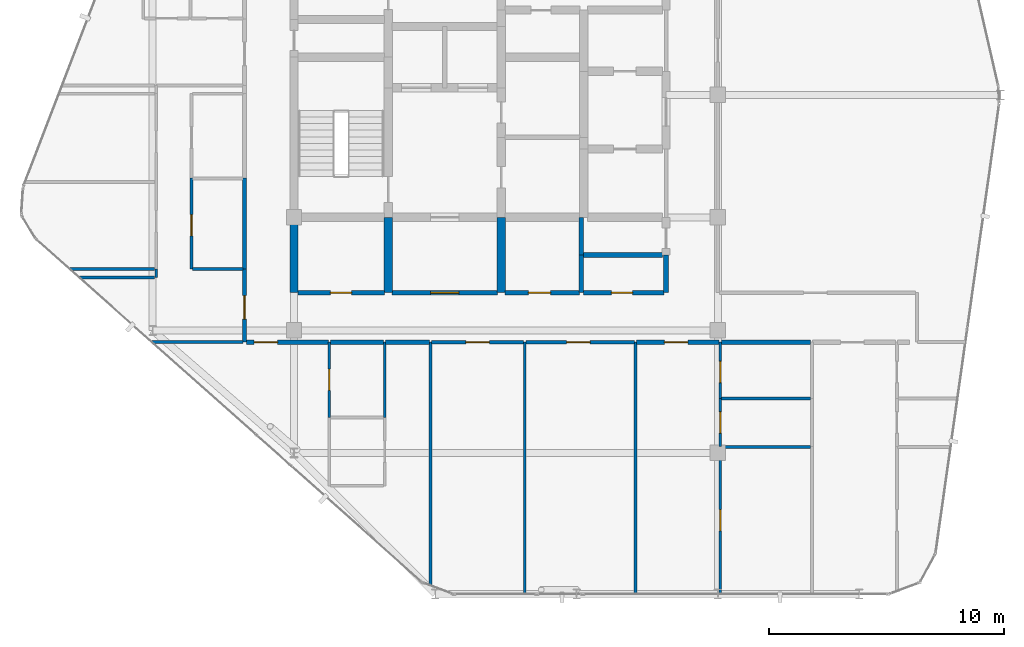
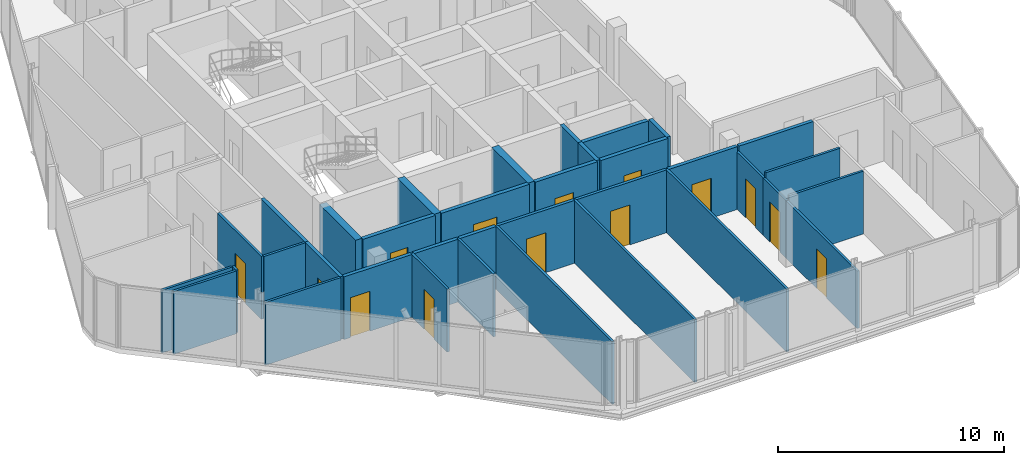
# One storey, part 22 of 27: 36 walls, 14 doors, 14 openings.
"""IFC4 building model written with IfcOpenShell, lengths in metres."""

from ifc_helpers import new_model, si_unit, direction, frame, frame_2d, origin, place, context, subcontext, project, spatial, rectangle, extrude, material, layer, layer_set, type_object, element, fill, save


model = new_model("IFC4")

# Units and contexts
model_context = context("Model", 3, precision=1e-05, world=origin(), true_north=direction((0.0, 1.0)))
body_context = subcontext(model_context, "Body", "Model", "MODEL_VIEW")
ifc_project = project(units=[si_unit("LENGTHUNIT", "METRE"), si_unit("AREAUNIT", "SQUARE_METRE"), si_unit("VOLUMEUNIT", "CUBIC_METRE"), si_unit("PLANEANGLEUNIT", "RADIAN"), si_unit("MASSUNIT", "GRAM", prefix="KILO")], contexts=[model_context])

# Site, building, storey
site_placement = place(None, origin())
site = spatial("IfcSite", under=ifc_project, at=site_placement, CompositionType="ELEMENT")
building_placement = place(site_placement, origin())
building = spatial("IfcBuilding", under=site, at=building_placement, Name="Keshet Zoharim Tower", CompositionType="ELEMENT")
storey_placement = place(building_placement, frame((0.0, 0.0, 288.0)))
storey = spatial("IfcBuildingStorey", under=building, at=storey_placement, Name="L72", CompositionType="ELEMENT", Elevation=288.0)

# Wall, opening, door
ifc_material_1 = material(Name="Gypsum Plasterboard", Category="gypsum")
ifc_layer_1 = layer(ifc_material_1, 0.14990234375)
ifc_layer_set_1 = layer_set([ifc_layer_1], Name="Gypsum Plasterboard")
wall_type_1 = type_object("IfcWallType", Name="WL-CLIN-150", PredefinedType="STANDARD", material=ifc_layer_set_1)
wall_1_placement = place(storey_placement, frame((20.844970703125, 17.39990234375, 0.0), z_axis=(0.0, 0.0, 1.0), x_axis=(1.0, 0.0, 0.0)))
wall_1 = element("IfcWall", 1, at=wall_1_placement, inside=storey, type_object=wall_type_1, Name="L72 Interior Wall 093", PredefinedType="STANDARD", context=body_context, shape_type="SweptSolid", body=[
    extrude(rectangle(XDim=3.909912109375, YDim=0.14990234375, at=frame_2d((1.955078125, 0.0))), origin(), (0.0, 0.0, 1.0), 3.389892578125),
])
opening_1_placement = place(wall_1_placement, frame((1.455078125, 0.0, 0.0)))
opening_1 = element("IfcOpeningElement", 2, at=opening_1_placement, cuts=wall_1, Name="Opening D-F310", PredefinedType="OPENING", context=body_context, shape_type="SweptSolid", body=[
    extrude(rectangle(XDim=1.0, YDim=2.14990234375, at=frame_2d((0.5, 1.074951171875))), frame((0.0, 0.0849609375, 0.0), z_axis=(0.0, -1.0, 0.0), x_axis=(1.0, 0.0, 0.0)), (0.0, 0.0, 1.0), 0.169921875),
])
ifc_material_2 = material(Name="Hardwood Timber", Category="wood")
door_type_1 = type_object("IfcDoorType", Name="DR-FD30-100", OperationType="NOTDEFINED", PredefinedType="DOOR", material=ifc_material_2)
door_1_placement = place(opening_1_placement, origin())
door_1 = element("IfcDoor", 3, at=door_1_placement, inside=storey, type_object=door_type_1, Name="L72 Residents Music Studio Door", OperationType="SINGLE_SWING_LEFT", OverallHeight=2.14990234375, OverallWidth=1.0, PredefinedType="DOOR", context=body_context, shape_type="SweptSolid", body=[
    extrude(rectangle(XDim=1.0, YDim=2.14990234375, at=frame_2d((0.5, 1.074951171875))), frame((0.0, 0.02490234375, 0.0), z_axis=(0.0, -1.0, 0.0), x_axis=(1.0, 0.0, 0.0)), (0.0, 0.0, 1.0), 0.050048828125),
])
fill(opening_1, door_1)

wall_2_placement = place(storey_placement, frame((24.844970703125, 17.39990234375, 0.0), z_axis=(0.0, 0.0, 1.0), x_axis=(1.0, 0.0, 0.0)))
wall_2 = element("IfcWall", 4, at=wall_2_placement, inside=storey, type_object=wall_type_1, Name="L72 Interior Wall 094", PredefinedType="STANDARD", context=body_context, shape_type="SweptSolid", body=[
    extrude(rectangle(XDim=4.610107421875, YDim=0.14990234375, at=frame_2d((2.30517578125, 0.0))), origin(), (0.0, 0.0, 1.0), 3.389892578125),
])
opening_2_placement = place(wall_2_placement, frame((1.73388671875, 0.0, 0.0)))
opening_2 = element("IfcOpeningElement", 5, at=opening_2_placement, cuts=wall_2, Name="Opening D-F310", PredefinedType="OPENING", context=body_context, shape_type="SweptSolid", body=[
    extrude(rectangle(XDim=1.0, YDim=2.14990234375, at=frame_2d((0.5, 1.074951171875))), frame((0.0, 0.0849609375, 0.0), z_axis=(0.0, -1.0, 0.0), x_axis=(1.0, 0.0, 0.0)), (0.0, 0.0, 1.0), 0.169921875),
])
door_2_placement = place(opening_2_placement, origin())
door_2 = element("IfcDoor", 6, at=door_2_placement, inside=storey, type_object=door_type_1, Name="L72 Residents Art Workshop Door", OperationType="SINGLE_SWING_RIGHT", OverallHeight=2.14990234375, OverallWidth=1.0, PredefinedType="DOOR", context=body_context, shape_type="SweptSolid", body=[
    extrude(rectangle(XDim=1.0, YDim=2.14990234375, at=frame_2d((0.5, 1.074951171875))), frame((0.0, 0.02490234375, 0.0), z_axis=(0.0, -1.0, 0.0), x_axis=(1.0, 0.0, 0.0)), (0.0, 0.0, 1.0), 0.050048828125),
])
fill(opening_2, door_2)

# Walls
ifc_material_3 = material(Name="Concrete C60/75", Category="concrete")
ifc_layer_2 = layer(ifc_material_3, 0.35009765625)
ifc_layer_set_2 = layer_set([ifc_layer_2], Name="Concrete C60/75")
wall_type_2 = type_object("IfcWallType", Name="WL-CORE-350", PredefinedType="SHEAR", material=ifc_layer_set_2)
for number, where, z_axis, x_axis, name in (
    (7, (15.0, 19.5, 0.0), (0.0, 0.0, 1.0), (0.0, 1.0, 0.0), "L72 Core Shear Wall 016"),
    (8, (19.0, 19.5, 0.0), (0.0, 0.0, 1.0), (0.0, 1.0, 0.0), "L72 Core Shear Wall 026"),
    (9, (23.800048828125, 19.5, 0.0), (0.0, 0.0, 1.0), (0.0, 1.0, 0.0), "L72 Core Shear Wall 038"),
):
    element("IfcWall", number, at=place(storey_placement, frame(where, z_axis=z_axis, x_axis=x_axis)), inside=storey, type_object=wall_type_2, Name=name, PredefinedType="SHEAR", context=body_context, shape_type="SweptSolid", body=[
        extrude(rectangle(XDim=3.199951171875, YDim=0.35009765625, at=frame_2d((1.60009765625, 0.0))), origin(), (0.0, 0.0, 1.0), 3.389892578125),
    ])

# Wall, opening, door
ifc_layer_3 = layer(ifc_material_1, 0.179931640625)
ifc_layer_set_3 = layer_set([ifc_layer_3], Name="Gypsum Plasterboard")
wall_type_3 = type_object("IfcWallType", Name="WL-CORR-180", PredefinedType="STANDARD", material=ifc_layer_set_3)
wall_3_placement = place(storey_placement, frame((12.89990234375, 17.39990234375, 0.0), z_axis=(0.0, 0.0, 1.0), x_axis=(0.0, 1.0, 0.0)))
wall_3 = element("IfcWall", 10, at=wall_3_placement, inside=storey, type_object=wall_type_3, Name="L72 Interior Wall 008", PredefinedType="STANDARD", context=body_context, shape_type="SweptSolid", body=[
    extrude(rectangle(XDim=3.10009765625, YDim=0.179931640625, at=frame_2d((1.550048828125, 0.0))), origin(), (0.0, 0.0, 1.0), 3.389892578125),
])
opening_3_placement = place(wall_3_placement, frame((0.97802734375, 0.0, 0.0)))
opening_3 = element("IfcOpeningElement", 11, at=opening_3_placement, cuts=wall_3, Name="Opening D-F310", PredefinedType="OPENING", context=body_context, shape_type="SweptSolid", body=[
    extrude(rectangle(XDim=1.0, YDim=2.14990234375, at=frame_2d((0.5, 1.074951171875))), frame((0.0, 0.10009765625, 0.0), z_axis=(0.0, -1.0, 0.0), x_axis=(1.0, 0.0, 0.0)), (0.0, 0.0, 1.0), 0.199951171875),
])
door_3_placement = place(opening_3_placement, origin())
door_3 = element("IfcDoor", 12, at=door_3_placement, inside=storey, type_object=door_type_1, Name="Apartment 7207 Entrance Door", OperationType="SINGLE_SWING_RIGHT", OverallHeight=2.14990234375, OverallWidth=1.0, PredefinedType="DOOR", context=body_context, shape_type="SweptSolid", body=[
    extrude(rectangle(XDim=1.0, YDim=2.14990234375, at=frame_2d((0.5, 1.074951171875))), frame((0.0, 0.02490234375, 0.0), z_axis=(0.0, -1.0, 0.0), x_axis=(1.0, 0.0, 0.0)), (0.0, 0.0, 1.0), 0.050048828125),
])
fill(opening_3, door_3)

# Wall
wall_4_placement = place(storey_placement, frame((12.89990234375, 20.5, 0.0), z_axis=(0.0, 0.0, 1.0), x_axis=(0.0, 1.0, 0.0)))
element("IfcWall", 13, at=wall_4_placement, inside=storey, type_object=wall_type_3, Name="L72 Interior Wall 009", PredefinedType="STANDARD", context=body_context, shape_type="SweptSolid", body=[
    extrude(rectangle(XDim=3.8740234375, YDim=0.179931640625, at=frame_2d((1.93701171875, 0.0))), origin(), (0.0, 0.0, 1.0), 3.389892578125),
])

# Wall, opening, door
wall_5_placement = place(storey_placement, frame((12.97509765625, 17.39990234375, 0.0), z_axis=(0.0, 0.0, 1.0), x_axis=(1.0, 0.0, 0.0)))
wall_5 = element("IfcWall", 14, at=wall_5_placement, inside=storey, type_object=wall_type_3, Name="L72 Interior Wall 090", PredefinedType="STANDARD", context=body_context, shape_type="SweptSolid", body=[
    extrude(rectangle(XDim=3.47998046875, YDim=0.179931640625, at=frame_2d((1.739990234375, 0.0))), origin(), (0.0, 0.0, 1.0), 3.389892578125),
])
opening_4_placement = place(wall_5_placement, frame((0.3330078125, 0.0, 0.0)))
opening_4 = element("IfcOpeningElement", 15, at=opening_4_placement, cuts=wall_5, Name="Opening D-F310", PredefinedType="OPENING", context=body_context, shape_type="SweptSolid", body=[
    extrude(rectangle(XDim=1.0, YDim=2.14990234375, at=frame_2d((0.5, 1.074951171875))), frame((0.0, 0.10009765625, 0.0), z_axis=(0.0, -1.0, 0.0), x_axis=(1.0, 0.0, 0.0)), (0.0, 0.0, 1.0), 0.199951171875),
])
door_4_placement = place(opening_4_placement, origin())
door_4 = element("IfcDoor", 16, at=door_4_placement, inside=storey, type_object=door_type_1, Name="Apartment 7201 Entrance Door", OperationType="SINGLE_SWING_RIGHT", OverallHeight=2.14990234375, OverallWidth=1.0, PredefinedType="DOOR", context=body_context, shape_type="SweptSolid", body=[
    extrude(rectangle(XDim=1.0, YDim=2.14990234375, at=frame_2d((0.5, 1.074951171875))), frame((0.0, 0.02490234375, 0.0), z_axis=(0.0, -1.0, 0.0), x_axis=(1.0, 0.0, 0.0)), (0.0, 0.0, 1.0), 0.050048828125),
])
fill(opening_4, door_4)

# Walls
wall_6_placement = place(storey_placement, frame((16.544921875, 17.39990234375, 0.0), z_axis=(0.0, 0.0, 1.0), x_axis=(1.0, 0.0, 0.0)))
element("IfcWall", 17, at=wall_6_placement, inside=storey, type_object=wall_type_3, Name="L72 Interior Wall 091", PredefinedType="STANDARD", context=body_context, shape_type="SweptSolid", body=[
    extrude(rectangle(XDim=2.260009765625, YDim=0.179931640625, at=frame_2d((1.1298828125, 0.0))), origin(), (0.0, 0.0, 1.0), 3.389892578125),
])
wall_7_placement = place(storey_placement, frame((18.89501953125, 17.39990234375, 0.0), z_axis=(0.0, 0.0, 1.0), x_axis=(1.0, 0.0, 0.0)))
element("IfcWall", 18, at=wall_7_placement, inside=storey, type_object=wall_type_3, Name="L72 Interior Wall 092", PredefinedType="STANDARD", context=body_context, shape_type="SweptSolid", body=[
    extrude(rectangle(XDim=1.85986328125, YDim=0.179931640625, at=frame_2d((0.929931640625, 0.0))), origin(), (0.0, 0.0, 1.0), 3.389892578125),
])

# Wall, opening, door
wall_8_placement = place(storey_placement, frame((29.544921875, 17.39990234375, 0.0), z_axis=(0.0, 0.0, 1.0), x_axis=(1.0, 0.0, 0.0)))
wall_8 = element("IfcWall", 19, at=wall_8_placement, inside=storey, type_object=wall_type_3, Name="L72 Interior Wall 095", PredefinedType="STANDARD", context=body_context, shape_type="SweptSolid", body=[
    extrude(rectangle(XDim=3.510009765625, YDim=0.179931640625, at=frame_2d((1.7548828125, 0.0))), origin(), (0.0, 0.0, 1.0), 3.389892578125),
])
opening_5_placement = place(wall_8_placement, frame((1.18505859375, 0.0, 0.0)))
opening_5 = element("IfcOpeningElement", 20, at=opening_5_placement, cuts=wall_8, Name="Opening D-F310", PredefinedType="OPENING", context=body_context, shape_type="SweptSolid", body=[
    extrude(rectangle(XDim=1.0, YDim=2.14990234375, at=frame_2d((0.5, 1.074951171875))), frame((0.0, 0.10009765625, 0.0), z_axis=(0.0, -1.0, 0.0), x_axis=(1.0, 0.0, 0.0)), (0.0, 0.0, 1.0), 0.199951171875),
])
door_5_placement = place(opening_5_placement, origin())
door_5 = element("IfcDoor", 21, at=door_5_placement, inside=storey, type_object=door_type_1, Name="Apartment 7202 Entrance Door", OperationType="SINGLE_SWING_LEFT", OverallHeight=2.14990234375, OverallWidth=1.0, PredefinedType="DOOR", context=body_context, shape_type="SweptSolid", body=[
    extrude(rectangle(XDim=1.0, YDim=2.14990234375, at=frame_2d((0.5, 1.074951171875))), frame((0.0, 0.02490234375, 0.0), z_axis=(0.0, -1.0, 0.0), x_axis=(1.0, 0.0, 0.0)), (0.0, 0.0, 1.0), 0.050048828125),
])
fill(opening_5, door_5)

# Walls
wall_9_placement = place(storey_placement, frame((33.14501953125, 17.39990234375, 0.0), z_axis=(0.0, 0.0, 1.0), x_axis=(1.0, 0.0, 0.0)))
element("IfcWall", 22, at=wall_9_placement, inside=storey, type_object=wall_type_3, Name="L72 Interior Wall 096", PredefinedType="STANDARD", context=body_context, shape_type="SweptSolid", body=[
    extrude(rectangle(XDim=3.7900390625, YDim=0.179931640625, at=frame_2d((1.89501953125, 0.0))), origin(), (0.0, 0.0, 1.0), 3.389892578125),
])
ifc_material_4 = material(Name="Concrete C50/60", Category="concrete")
ifc_layer_4 = layer(ifc_material_4, 0.199951171875)
ifc_layer_set_4 = layer_set([ifc_layer_4], Name="Concrete C50/60")
wall_type_4 = type_object("IfcWallType", Name="WL-FIRE-200", PredefinedType="STANDARD", material=ifc_layer_set_4)
wall_10_placement = place(storey_placement, frame((27.199951171875, 19.5, 0.0), z_axis=(0.0, 0.0, 1.0), x_axis=(0.0, 1.0, 0.0)))
element("IfcWall", 23, at=wall_10_placement, inside=storey, type_object=wall_type_4, Name="L72 Interior Wall 048", PredefinedType="STANDARD", context=body_context, shape_type="SweptSolid", body=[
    extrude(rectangle(XDim=1.60009765625, YDim=0.199951171875, at=frame_2d((0.800048828125, 0.0))), origin(), (0.0, 0.0, 1.0), 3.389892578125),
])
wall_11_placement = place(storey_placement, frame((27.199951171875, 21.10009765625, 0.0), z_axis=(0.0, 0.0, 1.0), x_axis=(0.0, 1.0, 0.0)))
element("IfcWall", 24, at=wall_11_placement, inside=storey, type_object=wall_type_4, Name="L72 Interior Wall 049", PredefinedType="STANDARD", context=body_context, shape_type="SweptSolid", body=[
    extrude(rectangle(XDim=1.599853515625, YDim=0.199951171875, at=frame_2d((0.7998046875, 0.0))), origin(), (0.0, 0.0, 1.0), 3.389892578125),
])
wall_12_placement = place(storey_placement, frame((30.800048828125, 19.5, 0.0), z_axis=(0.0, 0.0, 1.0), x_axis=(0.0, 1.0, 0.0)))
element("IfcWall", 25, at=wall_12_placement, inside=storey, type_object=wall_type_4, Name="L72 Interior Wall 058", PredefinedType="STANDARD", context=body_context, shape_type="SweptSolid", body=[
    extrude(rectangle(XDim=1.60009765625, YDim=0.199951171875, at=frame_2d((0.800048828125, 0.0))), origin(), (0.0, 0.0, 1.0), 3.389892578125),
])

# Wall, opening, door
wall_13_placement = place(storey_placement, frame((15.159912109375, 19.5, 0.0), z_axis=(0.0, 0.0, 1.0), x_axis=(1.0, 0.0, 0.0)))
wall_13 = element("IfcWall", 26, at=wall_13_placement, inside=storey, type_object=wall_type_4, Name="L72 Interior Wall 100", PredefinedType="STANDARD", context=body_context, shape_type="SweptSolid", body=[
    extrude(rectangle(XDim=3.68017578125, YDim=0.199951171875, at=frame_2d((1.840087890625, 0.0))), origin(), (0.0, 0.0, 1.0), 3.389892578125),
])
opening_6_placement = place(wall_13_placement, frame((1.389892578125, 0.0, 0.0)))
opening_6 = element("IfcOpeningElement", 27, at=opening_6_placement, cuts=wall_13, Name="Opening D-F690", PredefinedType="OPENING", context=body_context, shape_type="SweptSolid", body=[
    extrude(rectangle(XDim=0.89990234375, YDim=2.14990234375, at=frame_2d((0.449951171875, 1.074951171875))), frame((0.0, 0.10986328125, 0.0), z_axis=(0.0, -1.0, 0.0), x_axis=(1.0, 0.0, 0.0)), (0.0, 0.0, 1.0), 0.219970703125),
])
door_type_2 = type_object("IfcDoorType", Name="DR-FD60-090", OperationType="NOTDEFINED", PredefinedType="DOOR", material=ifc_material_2)
door_6_placement = place(opening_6_placement, origin())
door_6 = element("IfcDoor", 28, at=door_6_placement, inside=storey, type_object=door_type_2, Name="L72 Refuse Store Door", OperationType="SINGLE_SWING_LEFT", OverallHeight=2.14990234375, OverallWidth=0.89990234375, PredefinedType="DOOR", context=body_context, shape_type="SweptSolid", body=[
    extrude(rectangle(XDim=0.89990234375, YDim=2.14990234375, at=frame_2d((0.449951171875, 1.074951171875))), frame((0.0, 0.02490234375, 0.0), z_axis=(0.0, -1.0, 0.0), x_axis=(1.0, 0.0, 0.0)), (0.0, 0.0, 1.0), 0.050048828125),
])
fill(opening_6, door_6)

wall_14_placement = place(storey_placement, frame((19.159912109375, 19.5, 0.0), z_axis=(0.0, 0.0, 1.0), x_axis=(1.0, 0.0, 0.0)))
wall_14 = element("IfcWall", 29, at=wall_14_placement, inside=storey, type_object=wall_type_4, Name="L72 Interior Wall 101", PredefinedType="STANDARD", context=body_context, shape_type="SweptSolid", body=[
    extrude(rectangle(XDim=4.47998046875, YDim=0.199951171875, at=frame_2d((2.239990234375, 0.0))), origin(), (0.0, 0.0, 1.0), 3.389892578125),
])
opening_7_placement = place(wall_14_placement, frame((1.639892578125, 0.0, 0.0)))
opening_7 = element("IfcOpeningElement", 30, at=opening_7_placement, cuts=wall_14, Name="Opening D-F612", PredefinedType="OPENING", context=body_context, shape_type="SweptSolid", body=[
    extrude(rectangle(XDim=1.199951171875, YDim=2.199951171875, at=frame_2d((0.60009765625, 1.10009765625))), frame((0.0, 0.10986328125, 0.0), z_axis=(0.0, -1.0, 0.0), x_axis=(1.0, 0.0, 0.0)), (0.0, 0.0, 1.0), 0.219970703125),
])
door_type_3 = type_object("IfcDoorType", Name="DR-FD60-120", OperationType="NOTDEFINED", PredefinedType="DOOR", material=ifc_material_2)
door_7_placement = place(opening_7_placement, origin())
door_7 = element("IfcDoor", 31, at=door_7_placement, inside=storey, type_object=door_type_3, Name="L72 South Vestibule Corridor Door", OperationType="SINGLE_SWING_RIGHT", OverallHeight=2.199951171875, OverallWidth=1.199951171875, PredefinedType="DOOR", context=body_context, shape_type="SweptSolid", body=[
    extrude(rectangle(XDim=1.199951171875, YDim=2.199951171875, at=frame_2d((0.60009765625, 1.10009765625))), frame((0.0, 0.02490234375, 0.0), z_axis=(0.0, -1.0, 0.0), x_axis=(1.0, 0.0, 0.0)), (0.0, 0.0, 1.0), 0.050048828125),
])
fill(opening_7, door_7)

wall_15_placement = place(storey_placement, frame((23.9599609375, 19.5, 0.0), z_axis=(0.0, 0.0, 1.0), x_axis=(1.0, 0.0, 0.0)))
wall_15 = element("IfcWall", 32, at=wall_15_placement, inside=storey, type_object=wall_type_4, Name="L72 Interior Wall 102", PredefinedType="STANDARD", context=body_context, shape_type="SweptSolid", body=[
    extrude(rectangle(XDim=3.155029296875, YDim=0.199951171875, at=frame_2d((1.57763671875, 0.0))), origin(), (0.0, 0.0, 1.0), 3.389892578125),
])
opening_8_placement = place(wall_15_placement, frame((0.990966796875, 0.0, 0.0)))
opening_8 = element("IfcOpeningElement", 33, at=opening_8_placement, cuts=wall_15, Name="Opening D-F695", PredefinedType="OPENING", context=body_context, shape_type="SweptSolid", body=[
    extrude(rectangle(XDim=0.949951171875, YDim=2.14990234375, at=frame_2d((0.47509765625, 1.074951171875))), frame((0.0, 0.10986328125, 0.0), z_axis=(0.0, -1.0, 0.0), x_axis=(1.0, 0.0, 0.0)), (0.0, 0.0, 1.0), 0.219970703125),
])
door_type_4 = type_object("IfcDoorType", Name="DR-FD60-095", OperationType="NOTDEFINED", PredefinedType="DOOR", material=ifc_material_2)
door_8_placement = place(opening_8_placement, origin())
door_8 = element("IfcDoor", 34, at=door_8_placement, inside=storey, type_object=door_type_4, Name="L72 Utility Room Door", OperationType="SINGLE_SWING_LEFT", OverallHeight=2.14990234375, OverallWidth=0.949951171875, PredefinedType="DOOR", context=body_context, shape_type="SweptSolid", body=[
    extrude(rectangle(XDim=0.949951171875, YDim=2.14990234375, at=frame_2d((0.47509765625, 1.074951171875))), frame((0.0, 0.02490234375, 0.0), z_axis=(0.0, -1.0, 0.0), x_axis=(1.0, 0.0, 0.0)), (0.0, 0.0, 1.0), 0.050048828125),
])
fill(opening_8, door_8)

wall_16_placement = place(storey_placement, frame((27.284912109375, 19.5, 0.0), z_axis=(0.0, 0.0, 1.0), x_axis=(1.0, 0.0, 0.0)))
wall_16 = element("IfcWall", 35, at=wall_16_placement, inside=storey, type_object=wall_type_4, Name="L72 Interior Wall 103", PredefinedType="STANDARD", context=body_context, shape_type="SweptSolid", body=[
    extrude(rectangle(XDim=3.43017578125, YDim=0.199951171875, at=frame_2d((1.715087890625, 0.0))), origin(), (0.0, 0.0, 1.0), 3.389892578125),
])
opening_9_placement = place(wall_16_placement, frame((1.19189453125, 0.0, 0.0)))
opening_9 = element("IfcOpeningElement", 36, at=opening_9_placement, cuts=wall_16, Name="Opening D-F690", PredefinedType="OPENING", context=body_context, shape_type="SweptSolid", body=[
    extrude(rectangle(XDim=0.89990234375, YDim=2.14990234375, at=frame_2d((0.449951171875, 1.074951171875))), frame((0.0, 0.10986328125, 0.0), z_axis=(0.0, -1.0, 0.0), x_axis=(1.0, 0.0, 0.0)), (0.0, 0.0, 1.0), 0.219970703125),
])
door_9_placement = place(opening_9_placement, origin())
door_9 = element("IfcDoor", 37, at=door_9_placement, inside=storey, type_object=door_type_2, Name="L72 Valve Room Door", OperationType="SINGLE_SWING_RIGHT", OverallHeight=2.14990234375, OverallWidth=0.89990234375, PredefinedType="DOOR", context=body_context, shape_type="SweptSolid", body=[
    extrude(rectangle(XDim=0.89990234375, YDim=2.14990234375, at=frame_2d((0.449951171875, 1.074951171875))), frame((0.0, 0.02490234375, 0.0), z_axis=(0.0, -1.0, 0.0), x_axis=(1.0, 0.0, 0.0)), (0.0, 0.0, 1.0), 0.050048828125),
])
fill(opening_9, door_9)

# Walls
wall_17_placement = place(storey_placement, frame((27.284912109375, 21.10009765625, 0.0), z_axis=(0.0, 0.0, 1.0), x_axis=(1.0, 0.0, 0.0)))
element("IfcWall", 38, at=wall_17_placement, inside=storey, type_object=wall_type_4, Name="L72 Interior Wall 108", PredefinedType="STANDARD", context=body_context, shape_type="SweptSolid", body=[
    extrude(rectangle(XDim=3.35498046875, YDim=0.199951171875, at=frame_2d((1.677490234375, 0.0))), origin(), (0.0, 0.0, 1.0), 3.389892578125),
])
ifc_layer_5 = layer(ifc_material_1, 0.1201171875)
ifc_layer_set_5 = layer_set([ifc_layer_5], Name="Gypsum Plasterboard")
wall_type_5 = type_object("IfcWallType", Name="WL-PART-120", PredefinedType="PARTITIONING", material=ifc_layer_set_5)
wall_18_placement = place(storey_placement, frame((9.14990234375, 20.14990234375, 0.0), z_axis=(0.0, 0.0, 1.0), x_axis=(0.0, 1.0, 0.0)))
element("IfcWall", 39, at=wall_18_placement, inside=storey, type_object=wall_type_5, Name="L72 Interior Wall 002", PredefinedType="PARTITIONING", context=body_context, shape_type="SweptSolid", body=[
    extrude(rectangle(XDim=0.35009765625, YDim=0.1201171875, at=frame_2d((0.175048828125, 0.0))), origin(), (0.0, 0.0, 1.0), 3.389892578125),
])

# Wall, opening, door
wall_19_placement = place(storey_placement, frame((10.64990234375, 20.5, 0.0), z_axis=(0.0, 0.0, 1.0), x_axis=(0.0, 1.0, 0.0)))
wall_19 = element("IfcWall", 40, at=wall_19_placement, inside=storey, type_object=wall_type_5, Name="L72 Interior Wall 006", PredefinedType="PARTITIONING", context=body_context, shape_type="SweptSolid", body=[
    extrude(rectangle(XDim=3.8740234375, YDim=0.1201171875, at=frame_2d((1.93701171875, 0.0))), origin(), (0.0, 0.0, 1.0), 3.389892578125),
])
opening_10_placement = place(wall_19_placement, frame((1.4150390625, 0.0, 0.0)))
opening_10 = element("IfcOpeningElement", 41, at=opening_10_placement, cuts=wall_19, Name="Opening D-IN90", PredefinedType="OPENING", context=body_context, shape_type="SweptSolid", body=[
    extrude(rectangle(XDim=0.89990234375, YDim=2.14990234375, at=frame_2d((0.449951171875, 1.074951171875))), frame((0.0, 0.070068359375, 0.0), z_axis=(0.0, -1.0, 0.0), x_axis=(1.0, 0.0, 0.0)), (0.0, 0.0, 1.0), 0.14013671875),
])
door_type_5 = type_object("IfcDoorType", Name="DR-INT-090", OperationType="NOTDEFINED", PredefinedType="DOOR", material=ifc_material_2)
door_10_placement = place(opening_10_placement, origin())
door_10 = element("IfcDoor", 42, at=door_10_placement, inside=storey, type_object=door_type_5, Name="Apartment 7207 Kitchen Door", OperationType="SINGLE_SWING_RIGHT", OverallHeight=2.14990234375, OverallWidth=0.89990234375, PredefinedType="DOOR", context=body_context, shape_type="SweptSolid", body=[
    extrude(rectangle(XDim=0.89990234375, YDim=2.14990234375, at=frame_2d((0.449951171875, 1.074951171875))), frame((0.0, 0.02490234375, 0.0), z_axis=(0.0, -1.0, 0.0), x_axis=(1.0, 0.0, 0.0)), (0.0, 0.0, 1.0), 0.050048828125),
])
fill(opening_10, door_10)

wall_20_placement = place(storey_placement, frame((16.5, 14.199951171875, 0.0), z_axis=(0.0, 0.0, 1.0), x_axis=(0.0, 1.0, 0.0)))
wall_20 = element("IfcWall", 43, at=wall_20_placement, inside=storey, type_object=wall_type_5, Name="L72 Interior Wall 021", PredefinedType="PARTITIONING", context=body_context, shape_type="SweptSolid", body=[
    extrude(rectangle(XDim=3.199951171875, YDim=0.1201171875, at=frame_2d((1.60009765625, 0.0))), origin(), (0.0, 0.0, 1.0), 3.389892578125),
])
opening_11_placement = place(wall_20_placement, frame((1.14990234375, 0.0, 0.0)))
opening_11 = element("IfcOpeningElement", 44, at=opening_11_placement, cuts=wall_20, Name="Opening D-IN90", PredefinedType="OPENING", context=body_context, shape_type="SweptSolid", body=[
    extrude(rectangle(XDim=0.89990234375, YDim=2.14990234375, at=frame_2d((0.449951171875, 1.074951171875))), frame((0.0, 0.070068359375, 0.0), z_axis=(0.0, -1.0, 0.0), x_axis=(1.0, 0.0, 0.0)), (0.0, 0.0, 1.0), 0.14013671875),
])
door_11_placement = place(opening_11_placement, origin())
door_11 = element("IfcDoor", 45, at=door_11_placement, inside=storey, type_object=door_type_5, Name="Apartment 7201 Kitchenette Door", OperationType="SINGLE_SWING_LEFT", OverallHeight=2.14990234375, OverallWidth=0.89990234375, PredefinedType="DOOR", context=body_context, shape_type="SweptSolid", body=[
    extrude(rectangle(XDim=0.89990234375, YDim=2.14990234375, at=frame_2d((0.449951171875, 1.074951171875))), frame((0.0, 0.02490234375, 0.0), z_axis=(0.0, -1.0, 0.0), x_axis=(1.0, 0.0, 0.0)), (0.0, 0.0, 1.0), 0.050048828125),
])
fill(opening_11, door_11)

# Walls
wall_21_placement = place(storey_placement, frame((18.85009765625, 14.199951171875, 0.0), z_axis=(0.0, 0.0, 1.0), x_axis=(0.0, 1.0, 0.0)))
element("IfcWall", 46, at=wall_21_placement, inside=storey, type_object=wall_type_5, Name="L72 Interior Wall 025", PredefinedType="PARTITIONING", context=body_context, shape_type="SweptSolid", body=[
    extrude(rectangle(XDim=3.199951171875, YDim=0.1201171875, at=frame_2d((1.60009765625, 0.0))), origin(), (0.0, 0.0, 1.0), 3.389892578125),
])
wall_22_placement = place(storey_placement, frame((20.800048828125, 7.074951171875, 0.0), z_axis=(0.0, 0.0, 1.0), x_axis=(0.0, 1.0, 0.0)))
element("IfcWall", 47, at=wall_22_placement, inside=storey, type_object=wall_type_5, Name="L72 Interior Wall 032", PredefinedType="PARTITIONING", context=body_context, shape_type="SweptSolid", body=[
    extrude(rectangle(XDim=10.324951171875, YDim=0.1201171875, at=frame_2d((5.16259765625, 0.0))), origin(), (0.0, 0.0, 1.0), 3.389892578125),
])
for number, where, z_axis, x_axis, name in (
    (48, (24.800048828125, 6.7099609375, 0.0), (0.0, 0.0, 1.0), (0.0, 1.0, 0.0), "L72 Interior Wall 045"),
    (49, (29.5, 6.7099609375, 0.0), (0.0, 0.0, 1.0), (0.0, 1.0, 0.0), "L72 Interior Wall 055"),
):
    element("IfcWall", number, at=place(storey_placement, frame(where, z_axis=z_axis, x_axis=x_axis)), inside=storey, type_object=wall_type_5, Name=name, PredefinedType="PARTITIONING", context=body_context, shape_type="SweptSolid", body=[
        extrude(rectangle(XDim=10.68994140625, YDim=0.1201171875, at=frame_2d((5.344970703125, 0.0))), origin(), (0.0, 0.0, 1.0), 3.389892578125),
    ])

# Wall, opening, door
wall_23_placement = place(storey_placement, frame((33.10009765625, 6.7099609375, 0.0), z_axis=(0.0, 0.0, 1.0), x_axis=(0.0, 1.0, 0.0)))
wall_23 = element("IfcWall", 50, at=wall_23_placement, inside=storey, type_object=wall_type_5, Name="L72 Interior Wall 067", PredefinedType="PARTITIONING", context=body_context, shape_type="SweptSolid", body=[
    extrude(rectangle(XDim=6.260009765625, YDim=0.1201171875, at=frame_2d((3.1298828125, 0.0))), origin(), (0.0, 0.0, 1.0), 3.10009765625),
])
opening_12_placement = place(wall_23_placement, frame((2.679931640625, 0.0, 0.0)))
opening_12 = element("IfcOpeningElement", 51, at=opening_12_placement, cuts=wall_23, Name="Opening D-IN90", PredefinedType="OPENING", context=body_context, shape_type="SweptSolid", body=[
    extrude(rectangle(XDim=0.89990234375, YDim=2.14990234375, at=frame_2d((0.449951171875, 1.074951171875))), frame((0.0, 0.070068359375, 0.0), z_axis=(0.0, -1.0, 0.0), x_axis=(1.0, 0.0, 0.0)), (0.0, 0.0, 1.0), 0.14013671875),
])
door_12_placement = place(opening_12_placement, origin())
door_12 = element("IfcDoor", 52, at=door_12_placement, inside=storey, type_object=door_type_5, Name="Apartment 7202 Bedroom 1 Door", OperationType="SINGLE_SWING_RIGHT", OverallHeight=2.14990234375, OverallWidth=0.89990234375, PredefinedType="DOOR", context=body_context, shape_type="SweptSolid", body=[
    extrude(rectangle(XDim=0.89990234375, YDim=2.14990234375, at=frame_2d((0.449951171875, 1.074951171875))), frame((0.0, 0.02490234375, 0.0), z_axis=(0.0, -1.0, 0.0), x_axis=(1.0, 0.0, 0.0)), (0.0, 0.0, 1.0), 0.050048828125),
])
fill(opening_12, door_12)

wall_24_placement = place(storey_placement, frame((33.10009765625, 12.969970703125, 0.0), z_axis=(0.0, 0.0, 1.0), x_axis=(0.0, 1.0, 0.0)))
wall_24 = element("IfcWall", 53, at=wall_24_placement, inside=storey, type_object=wall_type_5, Name="L72 Interior Wall 068", PredefinedType="PARTITIONING", context=body_context, shape_type="SweptSolid", body=[
    extrude(rectangle(XDim=2.0380859375, YDim=0.1201171875, at=frame_2d((1.01904296875, 0.0))), origin(), (0.0, 0.0, 1.0), 3.10009765625),
])
opening_13_placement = place(wall_24_placement, frame((0.569091796875, 0.0, 0.0)))
opening_13 = element("IfcOpeningElement", 54, at=opening_13_placement, cuts=wall_24, Name="Opening D-IN90", PredefinedType="OPENING", context=body_context, shape_type="SweptSolid", body=[
    extrude(rectangle(XDim=0.89990234375, YDim=2.14990234375, at=frame_2d((0.449951171875, 1.074951171875))), frame((0.0, 0.070068359375, 0.0), z_axis=(0.0, -1.0, 0.0), x_axis=(1.0, 0.0, 0.0)), (0.0, 0.0, 1.0), 0.14013671875),
])
door_13_placement = place(opening_13_placement, origin())
door_13 = element("IfcDoor", 55, at=door_13_placement, inside=storey, type_object=door_type_5, Name="Apartment 7202 Kitchen Door", OperationType="SINGLE_SWING_LEFT", OverallHeight=2.14990234375, OverallWidth=0.89990234375, PredefinedType="DOOR", context=body_context, shape_type="SweptSolid", body=[
    extrude(rectangle(XDim=0.89990234375, YDim=2.14990234375, at=frame_2d((0.449951171875, 1.074951171875))), frame((0.0, 0.02490234375, 0.0), z_axis=(0.0, -1.0, 0.0), x_axis=(1.0, 0.0, 0.0)), (0.0, 0.0, 1.0), 0.050048828125),
])
fill(opening_13, door_13)

# Walls
wall_25_placement = place(storey_placement, frame((33.14501953125, 12.949951171875, 0.0), z_axis=(0.0, 0.0, 1.0), x_axis=(1.0, 0.0, 0.0)))
element("IfcWall", 56, at=wall_25_placement, inside=storey, type_object=wall_type_5, Name="L72 Interior Wall 084", PredefinedType="PARTITIONING", context=body_context, shape_type="SweptSolid", body=[
    extrude(rectangle(XDim=3.7900390625, YDim=0.1201171875, at=frame_2d((1.89501953125, 0.0))), origin(), (0.0, 0.0, 1.0), 3.389892578125),
])
wall_26_placement = place(storey_placement, frame((8.972900390625, 17.39990234375, 0.0), z_axis=(0.0, 0.0, 1.0), x_axis=(1.0, 0.0, 0.0)))
element("IfcWall", 57, at=wall_26_placement, inside=storey, type_object=wall_type_5, Name="L72 Interior Wall 089", PredefinedType="PARTITIONING", context=body_context, shape_type="SweptSolid", body=[
    extrude(rectangle(XDim=3.85205078125, YDim=0.1201171875, at=frame_2d((1.926025390625, 0.0))), origin(), (0.0, 0.0, 1.0), 3.389892578125),
])
wall_27_placement = place(storey_placement, frame((5.87890625, 20.14990234375, 0.0), z_axis=(0.0, 0.0, 1.0), x_axis=(1.0, 0.0, 0.0)))
element("IfcWall", 58, at=wall_27_placement, inside=storey, type_object=wall_type_5, Name="L72 Interior Wall 105", PredefinedType="PARTITIONING", context=body_context, shape_type="SweptSolid", body=[
    extrude(rectangle(XDim=3.2060546875, YDim=0.1201171875, at=frame_2d((1.60302734375, 0.0))), origin(), (0.0, 0.0, 1.0), 3.389892578125),
])
wall_28_placement = place(storey_placement, frame((5.485107421875, 20.5, 0.0), z_axis=(0.0, 0.0, 1.0), x_axis=(1.0, 0.0, 0.0)))
element("IfcWall", 59, at=wall_28_placement, inside=storey, type_object=wall_type_5, Name="L72 Interior Wall 106", PredefinedType="PARTITIONING", context=body_context, shape_type="SweptSolid", body=[
    extrude(rectangle(XDim=3.599853515625, YDim=0.1201171875, at=frame_2d((1.7998046875, 0.0))), origin(), (0.0, 0.0, 1.0), 3.389892578125),
])
wall_29_placement = place(storey_placement, frame((10.695068359375, 20.5, 0.0), z_axis=(0.0, 0.0, 1.0), x_axis=(1.0, 0.0, 0.0)))
element("IfcWall", 60, at=wall_29_placement, inside=storey, type_object=wall_type_5, Name="L72 Interior Wall 107", PredefinedType="PARTITIONING", context=body_context, shape_type="SweptSolid", body=[
    extrude(rectangle(XDim=2.1298828125, YDim=0.1201171875, at=frame_2d((1.06494140625, 0.0))), origin(), (0.0, 0.0, 1.0), 3.389892578125),
])

# Wall, opening, door
ifc_layer_6 = layer(ifc_material_1, 0.1201171875)
ifc_layer_set_6 = layer_set([ifc_layer_6], Name="Gypsum Plasterboard")
wall_type_6 = type_object("IfcWallType", Name="WL-WET-120", PredefinedType="PARTITIONING", material=ifc_layer_set_6)
wall_30_placement = place(storey_placement, frame((33.10009765625, 15.008056640625, 0.0), z_axis=(0.0, 0.0, 1.0), x_axis=(0.0, 1.0, 0.0)))
wall_30 = element("IfcWall", 61, at=wall_30_placement, inside=storey, type_object=wall_type_6, Name="L72 Interior Wall 069", PredefinedType="PARTITIONING", context=body_context, shape_type="SweptSolid", body=[
    extrude(rectangle(XDim=2.391845703125, YDim=0.1201171875, at=frame_2d((1.19580078125, 0.0))), origin(), (0.0, 0.0, 1.0), 3.10009765625),
])
opening_14_placement = place(wall_30_placement, frame((0.675048828125, 0.0, 0.0)))
opening_14 = element("IfcOpeningElement", 62, at=opening_14_placement, cuts=wall_30, Name="Opening D-WT90", PredefinedType="OPENING", context=body_context, shape_type="SweptSolid", body=[
    extrude(rectangle(XDim=0.89990234375, YDim=2.10009765625, at=frame_2d((0.449951171875, 1.050048828125))), frame((0.0, 0.070068359375, 0.0), z_axis=(0.0, -1.0, 0.0), x_axis=(1.0, 0.0, 0.0)), (0.0, 0.0, 1.0), 0.14013671875),
])
door_type_6 = type_object("IfcDoorType", Name="DR-WET-090", OperationType="NOTDEFINED", PredefinedType="DOOR", material=ifc_material_2)
door_14_placement = place(opening_14_placement, origin())
door_14 = element("IfcDoor", 63, at=door_14_placement, inside=storey, type_object=door_type_6, Name="Apartment 7202 Bathroom Door", OperationType="SINGLE_SWING_RIGHT", OverallHeight=2.10009765625, OverallWidth=0.89990234375, PredefinedType="DOOR", context=body_context, shape_type="SweptSolid", body=[
    extrude(rectangle(XDim=0.89990234375, YDim=2.10009765625, at=frame_2d((0.449951171875, 1.050048828125))), frame((0.0, 0.02490234375, 0.0), z_axis=(0.0, -1.0, 0.0), x_axis=(1.0, 0.0, 0.0)), (0.0, 0.0, 1.0), 0.050048828125),
])
fill(opening_14, door_14)

# Wall
wall_31_placement = place(storey_placement, frame((33.14501953125, 15.0, 0.0), z_axis=(0.0, 0.0, 1.0), x_axis=(1.0, 0.0, 0.0)))
element("IfcWall", 64, at=wall_31_placement, inside=storey, type_object=wall_type_6, Name="L72 Interior Wall 087", PredefinedType="PARTITIONING", context=body_context, shape_type="SweptSolid", body=[
    extrude(rectangle(XDim=3.7900390625, YDim=0.1201171875, at=frame_2d((1.89501953125, 0.0))), origin(), (0.0, 0.0, 1.0), 3.389892578125),
])

save(model, "model.ifc")
